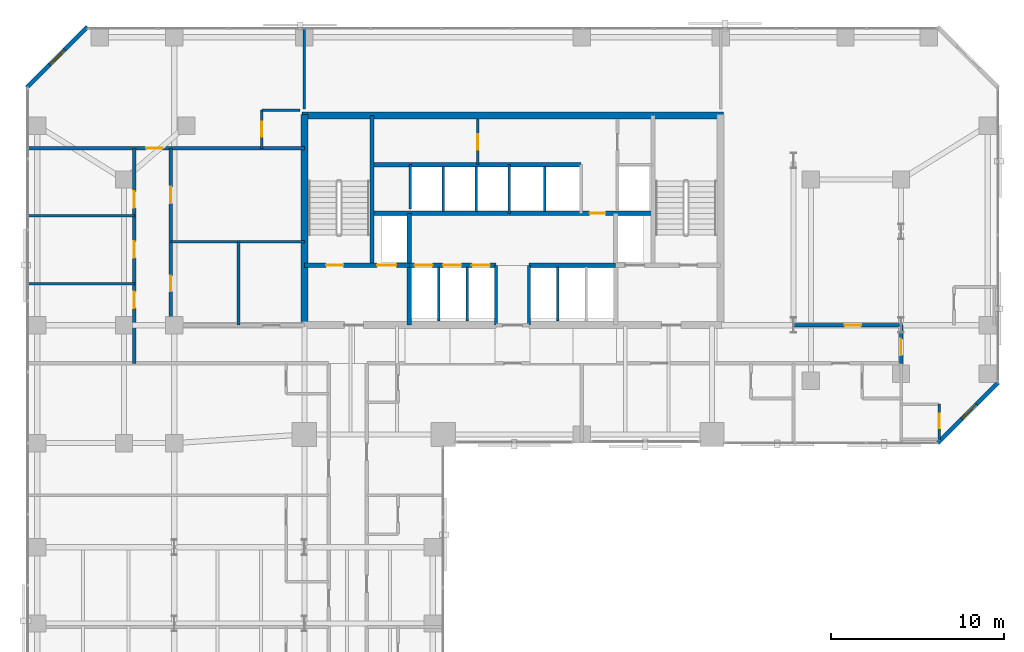
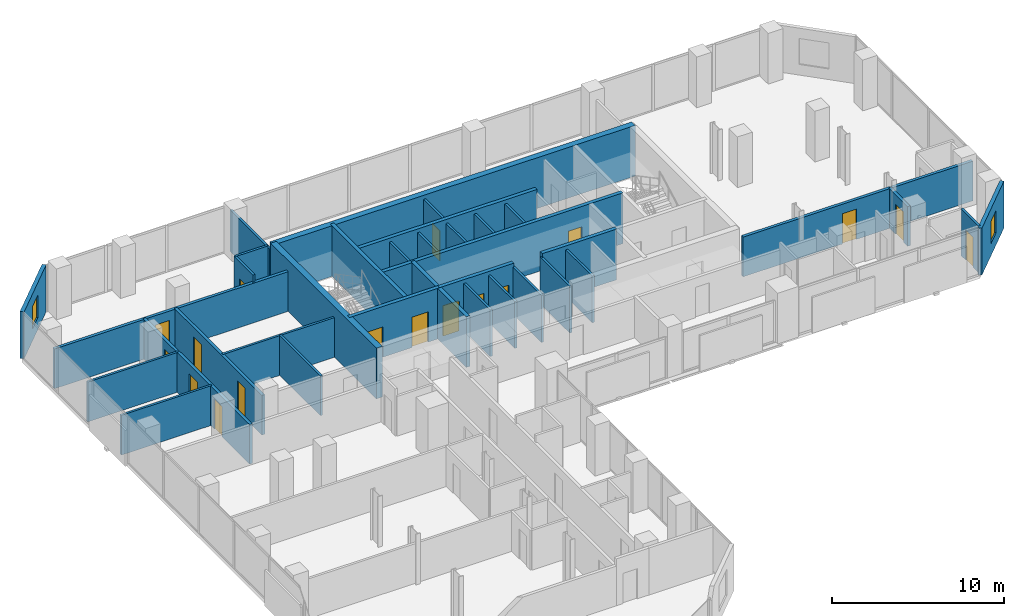
# One storey, part 28 of 31: 35 walls, 17 doors, 2 windows, 19 openings.
"""IFC4 building model written with IfcOpenShell, lengths in metres."""

import ifcopenshell
import ifcopenshell.guid

model = None  # the IFC model being written
_history = None  # IfcOwnerHistory: only IFC2X3 demands one
_inside = {}  # id of a spatial element -> (the spatial element, [elements in it])
_under = {}  # id of a project, library or spatial element -> (it, [spatial elements below it])
_declared = {}  # id of a project -> (the project, [libraries it declares])
_typed = {}  # id of a type object -> (the type object, [elements of that type])
_made_of = {}  # id of a material, layer set ... -> (it, [elements and type objects made of it])


def new_model(schema):
    """Start an empty IFC model of exactly this schema.

    Asked for "IFC4X3", IfcOpenShell would pick the latest addendum, in which some entities
    have other attributes; the version numbers below select the first issue.
    IFC2X3 requires an IfcOwnerHistory on every rooted entity: one is made here for all.
    """
    global model, _history
    if schema == "IFC4X3":
        model = ifcopenshell.file(schema_version=(4, 3, 0, 0))
    else:
        model = ifcopenshell.file(schema=schema)
    _inside.clear()
    _under.clear()
    _declared.clear()
    _typed.clear()
    _made_of.clear()
    _history = None
    if model.schema == "IFC2X3":
        org = make("IfcOrganization", Name="unknown")
        user = make(
            "IfcPersonAndOrganization",
            ThePerson=make("IfcPerson", FamilyName="unknown"),
            TheOrganization=org,
        )
        app = make(
            "IfcApplication",
            ApplicationDeveloper=org,
            Version="unknown",
            ApplicationFullName="unknown",
            ApplicationIdentifier="unknown",
        )
        _history = make(
            "IfcOwnerHistory",
            OwningUser=user,
            OwningApplication=app,
            ChangeAction="ADDED",
            CreationDate=0,
        )
    return model


def make(cls, **values):
    """One entity of the class cls with the attributes given. An attribute that is None is left unset."""
    return model.create_entity(
        cls, **{name: value for name, value in values.items() if value is not None}
    )


def rooted(cls, **values):
    """An entity with a GlobalId (a new one), such as an element, a storey or a relation."""
    return make(cls, GlobalId=ifcopenshell.guid.new(), OwnerHistory=_history, **values)


def si_unit(unit_type, name, prefix=None):
    """IfcSIUnit, for example si_unit("LENGTHUNIT", "METRE", prefix="MILLI")."""
    return make("IfcSIUnit", UnitType=unit_type, Prefix=prefix, Name=name)


def assignment(units):
    """IfcUnitAssignment: the units of a project."""
    return None if units is None else make("IfcUnitAssignment", Units=units)


def point(xyz):
    """IfcCartesianPoint."""
    return None if xyz is None else make("IfcCartesianPoint", Coordinates=xyz)


def direction(xyz):
    """IfcDirection."""
    return None if xyz is None else make("IfcDirection", DirectionRatios=xyz)


def frame(location, z_axis=None, x_axis=None):
    """IfcAxis2Placement3D, a coordinate frame: its origin and axes. An axis left out is left unset."""
    return make(
        "IfcAxis2Placement3D",
        Location=point(location),
        Axis=direction(z_axis),
        RefDirection=direction(x_axis),
    )


def frame_2d(location, x_axis=None):
    """IfcAxis2Placement2D, a coordinate frame in the plane: its origin and x axis."""
    return make(
        "IfcAxis2Placement2D", Location=point(location), RefDirection=direction(x_axis)
    )


def origin():
    """The frame at (0, 0, 0) with its axes left unset."""
    return frame((0.0, 0.0, 0.0))


def place(relative_to, where):
    """IfcLocalPlacement: puts the frame where relative to a parent placement (None: the world)."""
    return make(
        "IfcLocalPlacement", PlacementRelTo=relative_to, RelativePlacement=where
    )


def context(
    kind, dimensions, precision=None, world=None, true_north=None, identifier=None
):
    """IfcGeometricRepresentationContext, for example the 3D "Model" context."""
    return make(
        "IfcGeometricRepresentationContext",
        ContextIdentifier=identifier,
        ContextType=kind,
        CoordinateSpaceDimension=dimensions,
        Precision=precision,
        WorldCoordinateSystem=world,
        TrueNorth=true_north,
    )


def subcontext(parent, identifier, kind, view, scale=None):
    """IfcGeometricRepresentationSubContext, for example "Body" below "Model"."""
    return make(
        "IfcGeometricRepresentationSubContext",
        ContextIdentifier=identifier,
        ContextType=kind,
        ParentContext=parent,
        TargetScale=scale,
        TargetView=view,
    )


def project(units=None, contexts=None):
    """IfcProject with its units and contexts."""
    return rooted(
        "IfcProject",
        Name="project",
        RepresentationContexts=contexts,
        UnitsInContext=assignment(units),
    )


def spatial(cls, under=None, at=None, **own):
    """A site, building, storey or space (cls), placed at a placement, below another one or the project."""
    s = rooted(cls, ObjectPlacement=at, **own)
    if under is not None:
        _under.setdefault(under.id(), (under, []))[1].append(s)
    return s


def profile(cls, at=None, kind="AREA", **sizes):
    """A parametric profile (cls). Its sizes go by their IFC names, for example OverallWidth=200.0."""
    return make(cls, ProfileType=kind, Position=at, **sizes)


def rectangle(**sizes):
    """IfcRectangleProfileDef."""
    return profile("IfcRectangleProfileDef", **sizes)


def extrude(swept, where, along, depth):
    """IfcExtrudedAreaSolid: the profile swept, set in the frame where, extruded along a direction by depth."""
    return make(
        "IfcExtrudedAreaSolid",
        SweptArea=swept,
        Position=where,
        ExtrudedDirection=direction(along),
        Depth=depth,
    )


def shape(context_of_items, identifier, shape_type, items):
    """IfcShapeRepresentation: the items that make up one representation, for example the "Body"."""
    return make(
        "IfcShapeRepresentation",
        ContextOfItems=context_of_items,
        RepresentationIdentifier=identifier,
        RepresentationType=shape_type,
        Items=items,
    )


def material(Name=None, Category=None):
    """IfcMaterial."""
    return make("IfcMaterial", Name=Name, Category=Category)


def layer(
    of_material, thickness, ventilated=None, Name=None, Category=None, Priority=None
):
    """IfcMaterialLayer: one layer of a wall or slab, of a material (None: an air gap)."""
    return make(
        "IfcMaterialLayer",
        Material=of_material,
        LayerThickness=thickness,
        IsVentilated=ventilated,
        Name=Name,
        Category=Category,
        Priority=Priority,
    )


def layer_set(layers, Name=None):
    """IfcMaterialLayerSet."""
    return make("IfcMaterialLayerSet", MaterialLayers=layers, LayerSetName=Name)


def made_of(thing, what):
    """Note that an element or type object is made of a material, layer set ...; save() writes the relation."""
    if what is not None:
        _made_of.setdefault(what.id(), (what, []))[1].append(thing)
    return thing


def type_object(cls, material=None, **own):
    """A type object (cls), such as IfcWallType, which elements share."""
    return made_of(rooted(cls, **own), material)


def element(
    cls,
    number,
    at=None,
    inside=None,
    cuts=None,
    type_object=None,
    material=None,
    context=None,
    identifier="Body",
    shape_type=None,
    held_by="IfcProductDefinitionShape",
    body=None,
    shapes=None,
    **own,
):
    """One element of the class cls, such as IfcWall. Its Tag is "e" and its number.

    at: its placement. inside: the storey or other place that contains it. cuts: it is an
    opening in that element (IfcRelVoidsElement). A single representation is given by context,
    identifier, shape_type and body (its items); several are given by shapes. held_by: the class
    of the entity that holds the representations. save() writes the other relations.
    """
    e = rooted(cls, Tag="e%d" % number, ObjectPlacement=at, **own)
    if body is not None:
        shapes = [shape(context, identifier, shape_type, body)]
    if shapes is not None:
        e.Representation = make(held_by, Representations=shapes)
    if inside is not None:
        _inside.setdefault(inside.id(), (inside, []))[1].append(e)
    if cuts is not None:
        rooted(
            "IfcRelVoidsElement", RelatingBuildingElement=cuts, RelatedOpeningElement=e
        )
    if type_object is not None:
        _typed.setdefault(type_object.id(), (type_object, []))[1].append(e)
    return made_of(e, material)


def fill(opening, filler):
    """IfcRelFillsElement: the door or window that sits in an opening."""
    return rooted(
        "IfcRelFillsElement",
        RelatingOpeningElement=opening,
        RelatedBuildingElement=filler,
    )


def aggregate(whole, parts):
    """IfcRelAggregates: a whole, such as a stair, and the parts it consists of."""
    return rooted("IfcRelAggregates", RelatingObject=whole, RelatedObjects=parts)


def save(model, path):
    """Write the relations noted so far, then the file.

    IfcRelAggregates (storeys below a building ...), IfcRelContainedInSpatialStructure (elements
    in a storey), IfcRelDefinesByType, IfcRelAssociatesMaterial and IfcRelDeclares: one each for
    every whole, place, type object, material and project.
    """
    for whole, parts in _under.values():
        aggregate(whole, parts)
    for where, things in _inside.values():
        rooted(
            "IfcRelContainedInSpatialStructure",
            RelatedElements=things,
            RelatingStructure=where,
        )
    for kind, things in _typed.values():
        rooted("IfcRelDefinesByType", RelatedObjects=things, RelatingType=kind)
    for what, things in _made_of.values():
        rooted("IfcRelAssociatesMaterial", RelatedObjects=things, RelatingMaterial=what)
    for by, libraries in _declared.values():
        rooted("IfcRelDeclares", RelatingContext=by, RelatedDefinitions=libraries)
    model.write(path)


model = new_model("IFC4")

# Units and contexts
model_context = context("Model", 3, precision=1e-05, world=origin(), true_north=direction((0.0, 1.0)))
body_context = subcontext(model_context, "Body", "Model", "MODEL_VIEW")
ifc_project = project(units=[si_unit("LENGTHUNIT", "METRE"), si_unit("AREAUNIT", "SQUARE_METRE"), si_unit("VOLUMEUNIT", "CUBIC_METRE"), si_unit("PLANEANGLEUNIT", "RADIAN"), si_unit("MASSUNIT", "GRAM", prefix="KILO")], contexts=[model_context])

# Site, building, storey
site_placement = place(None, origin())
site = spatial("IfcSite", under=ifc_project, at=site_placement, CompositionType="ELEMENT")
building_placement = place(site_placement, origin())
building = spatial("IfcBuilding", under=site, at=building_placement, Name="Catumbela Crestline Tower", CompositionType="ELEMENT")
storey_placement = place(building_placement, frame((0.0, 0.0, 36.6)))
storey = spatial("IfcBuildingStorey", under=building, at=storey_placement, Name="L08", CompositionType="ELEMENT", Elevation=36.6)

# Walls
ifc_material_1 = material(Name="Concrete C50/60", Category="concrete")
ifc_layer_1 = layer(ifc_material_1, 0.25, Name="Concrete C50/60")
ifc_layer_set_1 = layer_set([ifc_layer_1], Name="Concrete C50/60")
wall_type_1 = type_object("IfcWallType", Name="CW-250D", PredefinedType="SHEAR", material=ifc_layer_set_1)
wall_1_placement = place(storey_placement, frame((19.9, 34.25, 0.0), z_axis=(0.0, 0.0, 1.0), x_axis=(0.0, 1.0, 0.0)))
element("IfcWall", 1, at=wall_1_placement, inside=storey, type_object=wall_type_1, Name="L08 Structural Core Shear Wall WWEB", PredefinedType="SHEAR", context=body_context, shape_type="SweptSolid", body=[
    extrude(rectangle(XDim=8.65, YDim=0.25, at=frame_2d((4.325, 0.0))), origin(), (0.0, 0.0, 1.0), 3.6),
])
wall_2_placement = place(storey_placement, frame((22.05, 30.8, 0.0), z_axis=(0.0, 0.0, 1.0), x_axis=(0.0, 1.0, 0.0)))
element("IfcWall", 2, at=wall_2_placement, inside=storey, type_object=wall_type_1, Name="L08 Structural Core Shear Wall FFW", PredefinedType="SHEAR", context=body_context, shape_type="SweptSolid", body=[
    extrude(rectangle(XDim=6.45, YDim=0.25, at=frame_2d((3.225, 0.0))), origin(), (0.0, 0.0, 1.0), 3.6),
])

# Wall, openings, doors
wall_3_placement = place(storey_placement, frame((16.0, 34.25, 0.0), z_axis=(0.0, 0.0, 1.0), x_axis=(1.0, 0.0, 0.0)))
wall_3 = element("IfcWall", 3, at=wall_3_placement, inside=storey, type_object=wall_type_1, Name="L08 Structural Core Shear Wall ST1S", PredefinedType="SHEAR", context=body_context, shape_type="SweptSolid", body=[
    extrude(rectangle(XDim=6.05, YDim=0.25, at=frame_2d((3.025, 0.0))), origin(), (0.0, 0.0, 1.0), 3.6),
])
opening_1_placement = place(wall_3_placement, frame((1.25, 0.0, 0.0)))
opening_1 = element("IfcOpeningElement", 4, at=opening_1_placement, cuts=wall_3, Name="Opening DF9-100", PredefinedType="OPENING", context=body_context, shape_type="SweptSolid", body=[
    extrude(rectangle(XDim=1.0, YDim=2.15, at=frame_2d((0.5, 1.075))), frame((0.0, 0.135, 0.0), z_axis=(0.0, -1.0, 0.0), x_axis=(1.0, 0.0, 0.0)), (0.0, 0.0, 1.0), 0.27),
])
opening_2_placement = place(wall_3_placement, frame((4.2, 0.0, 0.0)))
opening_2 = element("IfcOpeningElement", 5, at=opening_2_placement, cuts=wall_3, Name="Opening LD-110", PredefinedType="OPENING", context=body_context, shape_type="SweptSolid", body=[
    extrude(rectangle(XDim=1.1, YDim=2.15, at=frame_2d((0.55, 1.075))), frame((0.0, 0.135, 0.0), z_axis=(0.0, -1.0, 0.0), x_axis=(1.0, 0.0, 0.0)), (0.0, 0.0, 1.0), 0.27),
])
ifc_material_2 = material(Name="Stainless steel EN 1.4401", Category="steel")
door_type_1 = type_object("IfcDoorType", Name="DF9-100", OperationType="NOTDEFINED", PredefinedType="DOOR", material=ifc_material_2)
door_1_placement = place(opening_1_placement, origin())
door_1 = element("IfcDoor", 6, at=door_1_placement, inside=storey, type_object=door_type_1, Name="L08 Interior Door DR-L08-ST01", OperationType="SINGLE_SWING_LEFT", OverallHeight=2.15, OverallWidth=1.0, PredefinedType="DOOR", context=body_context, shape_type="SweptSolid", body=[
    extrude(rectangle(XDim=1.0, YDim=2.15, at=frame_2d((0.5, 1.075))), frame((0.0, 0.025, 0.0), z_axis=(0.0, -1.0, 0.0), x_axis=(1.0, 0.0, 0.0)), (0.0, 0.0, 1.0), 0.05),
])
fill(opening_1, door_1)
door_type_2 = type_object("IfcDoorType", Name="LD-110", OperationType="NOTDEFINED", PredefinedType="DOOR", material=ifc_material_2)
door_2_placement = place(opening_2_placement, origin())
door_2 = element("IfcDoor", 7, at=door_2_placement, inside=storey, type_object=door_type_2, Name="L08 Lift Landing Sliding Door FL-01", OperationType="DOUBLE_DOOR_SLIDING", OverallHeight=2.15, OverallWidth=1.1, PredefinedType="DOOR", context=body_context, shape_type="SweptSolid", body=[
    extrude(rectangle(XDim=1.1, YDim=2.15, at=frame_2d((0.55, 1.075))), frame((0.0, 0.025, 0.0), z_axis=(0.0, -1.0, 0.0), x_axis=(1.0, 0.0, 0.0)), (0.0, 0.0, 1.0), 0.05),
])
fill(opening_2, door_2)

wall_4_placement = place(storey_placement, frame((22.05, 34.25, 0.0), z_axis=(0.0, 0.0, 1.0), x_axis=(1.0, 0.0, 0.0)))
wall_4 = element("IfcWall", 8, at=wall_4_placement, inside=storey, type_object=wall_type_1, Name="L08 Structural Core Shear Wall LIFTS-W", PredefinedType="SHEAR", context=body_context, shape_type="SweptSolid", body=[
    extrude(rectangle(XDim=5.0, YDim=0.25, at=frame_2d((2.5, 0.0))), origin(), (0.0, 0.0, 1.0), 3.6),
])
opening_3_placement = place(wall_4_placement, frame((0.3, 0.0, 0.0)))
opening_3 = element("IfcOpeningElement", 9, at=opening_3_placement, cuts=wall_4, Name="Opening LD-105", PredefinedType="OPENING", context=body_context, shape_type="SweptSolid", body=[
    extrude(rectangle(XDim=1.05, YDim=2.15, at=frame_2d((0.525, 1.075))), frame((0.0, 0.135, 0.0), z_axis=(0.0, -1.0, 0.0), x_axis=(1.0, 0.0, 0.0)), (0.0, 0.0, 1.0), 0.27),
])
opening_4_placement = place(wall_4_placement, frame((1.95, 0.0, 0.0)))
opening_4 = element("IfcOpeningElement", 10, at=opening_4_placement, cuts=wall_4, Name="Opening LD-105", PredefinedType="OPENING", context=body_context, shape_type="SweptSolid", body=[
    extrude(rectangle(XDim=1.05, YDim=2.15, at=frame_2d((0.525, 1.075))), frame((0.0, 0.135, 0.0), z_axis=(0.0, -1.0, 0.0), x_axis=(1.0, 0.0, 0.0)), (0.0, 0.0, 1.0), 0.27),
])
opening_5_placement = place(wall_4_placement, frame((3.6, 0.0, 0.0)))
opening_5 = element("IfcOpeningElement", 11, at=opening_5_placement, cuts=wall_4, Name="Opening LD-105", PredefinedType="OPENING", context=body_context, shape_type="SweptSolid", body=[
    extrude(rectangle(XDim=1.05, YDim=2.15, at=frame_2d((0.525, 1.075))), frame((0.0, 0.135, 0.0), z_axis=(0.0, -1.0, 0.0), x_axis=(1.0, 0.0, 0.0)), (0.0, 0.0, 1.0), 0.27),
])
door_type_3 = type_object("IfcDoorType", Name="LD-105", OperationType="NOTDEFINED", PredefinedType="DOOR", material=ifc_material_2)
door_3_placement = place(opening_3_placement, origin())
door_3 = element("IfcDoor", 12, at=door_3_placement, inside=storey, type_object=door_type_3, Name="L08 Lift Landing Sliding Door PL-L1", OperationType="DOUBLE_DOOR_SLIDING", OverallHeight=2.15, OverallWidth=1.05, PredefinedType="DOOR", context=body_context, shape_type="SweptSolid", body=[
    extrude(rectangle(XDim=1.05, YDim=2.15, at=frame_2d((0.525, 1.075))), frame((0.0, 0.025, 0.0), z_axis=(0.0, -1.0, 0.0), x_axis=(1.0, 0.0, 0.0)), (0.0, 0.0, 1.0), 0.05),
])
fill(opening_3, door_3)
door_4_placement = place(opening_4_placement, origin())
door_4 = element("IfcDoor", 13, at=door_4_placement, inside=storey, type_object=door_type_3, Name="L08 Lift Landing Sliding Door PL-L2", OperationType="DOUBLE_DOOR_SLIDING", OverallHeight=2.15, OverallWidth=1.05, PredefinedType="DOOR", context=body_context, shape_type="SweptSolid", body=[
    extrude(rectangle(XDim=1.05, YDim=2.15, at=frame_2d((0.525, 1.075))), frame((0.0, 0.025, 0.0), z_axis=(0.0, -1.0, 0.0), x_axis=(1.0, 0.0, 0.0)), (0.0, 0.0, 1.0), 0.05),
])
fill(opening_4, door_4)
door_5_placement = place(opening_5_placement, origin())
door_5 = element("IfcDoor", 14, at=door_5_placement, inside=storey, type_object=door_type_3, Name="L08 Lift Landing Sliding Door PL-L3", OperationType="DOUBLE_DOOR_SLIDING", OverallHeight=2.15, OverallWidth=1.05, PredefinedType="DOOR", context=body_context, shape_type="SweptSolid", body=[
    extrude(rectangle(XDim=1.05, YDim=2.15, at=frame_2d((0.525, 1.075))), frame((0.0, 0.025, 0.0), z_axis=(0.0, -1.0, 0.0), x_axis=(1.0, 0.0, 0.0)), (0.0, 0.0, 1.0), 0.05),
])
fill(opening_5, door_5)

# Wall
wall_5_placement = place(storey_placement, frame((28.95, 34.25, 0.0), z_axis=(0.0, 0.0, 1.0), x_axis=(1.0, 0.0, 0.0)))
element("IfcWall", 15, at=wall_5_placement, inside=storey, type_object=wall_type_1, Name="L08 Structural Core Shear Wall LIFTS-E", PredefinedType="SHEAR", context=body_context, shape_type="SweptSolid", body=[
    extrude(rectangle(XDim=5.0, YDim=0.25, at=frame_2d((2.5, 0.0))), origin(), (0.0, 0.0, 1.0), 3.6),
])

# Wall, opening, door
wall_6_placement = place(storey_placement, frame((19.9, 37.25, 0.0), z_axis=(0.0, 0.0, 1.0), x_axis=(1.0, 0.0, 0.0)))
wall_6 = element("IfcWall", 16, at=wall_6_placement, inside=storey, type_object=wall_type_1, Name="L08 Structural Core Shear Wall LIFTN", PredefinedType="SHEAR", context=body_context, shape_type="SweptSolid", body=[
    extrude(rectangle(XDim=16.2, YDim=0.25, at=frame_2d((8.1, 0.0))), origin(), (0.0, 0.0, 1.0), 3.6),
])
opening_6_placement = place(wall_6_placement, frame((12.55, 0.0, 0.0)))
opening_6 = element("IfcOpeningElement", 17, at=opening_6_placement, cuts=wall_6, Name="Opening DF9-090", PredefinedType="OPENING", context=body_context, shape_type="SweptSolid", body=[
    extrude(rectangle(XDim=0.9, YDim=2.15, at=frame_2d((0.45, 1.075))), frame((0.0, 0.135, 0.0), z_axis=(0.0, -1.0, 0.0), x_axis=(1.0, 0.0, 0.0)), (0.0, 0.0, 1.0), 0.27),
])
door_type_4 = type_object("IfcDoorType", Name="DF9-090", OperationType="NOTDEFINED", PredefinedType="DOOR", material=ifc_material_2)
door_6_placement = place(opening_6_placement, origin())
door_6 = element("IfcDoor", 18, at=door_6_placement, inside=storey, type_object=door_type_4, Name="L08 Interior Door DR-L08-CPAS1", OperationType="SINGLE_SWING_LEFT", OverallHeight=2.15, OverallWidth=0.9, PredefinedType="DOOR", context=body_context, shape_type="SweptSolid", body=[
    extrude(rectangle(XDim=0.9, YDim=2.15, at=frame_2d((0.45, 1.075))), frame((0.0, 0.025, 0.0), z_axis=(0.0, -1.0, 0.0), x_axis=(1.0, 0.0, 0.0)), (0.0, 0.0, 1.0), 0.05),
])
fill(opening_6, door_6)

# Walls
wall_7_placement = place(storey_placement, frame((19.9, 40.05, 0.0), z_axis=(0.0, 0.0, 1.0), x_axis=(1.0, 0.0, 0.0)))
element("IfcWall", 19, at=wall_7_placement, inside=storey, type_object=wall_type_1, Name="L08 Structural Core Shear Wall COREN", PredefinedType="SHEAR", context=body_context, shape_type="SweptSolid", body=[
    extrude(rectangle(XDim=12.05, YDim=0.25, at=frame_2d((6.025, 0.0))), origin(), (0.0, 0.0, 1.0), 3.6),
])
ifc_material_3 = material(Name="Concrete C60/75", Category="concrete")
ifc_layer_2 = layer(ifc_material_3, 0.4, Name="Concrete C60/75")
ifc_layer_set_2 = layer_set([ifc_layer_2], Name="Concrete C60/75")
wall_type_2 = type_object("IfcWallType", Name="CW-400A", PredefinedType="SHEAR", material=ifc_layer_set_2)
wall_8_placement = place(storey_placement, frame((16.0, 30.65, 0.0), z_axis=(0.0, 0.0, 1.0), x_axis=(0.0, 1.0, 0.0)))
element("IfcWall", 20, at=wall_8_placement, inside=storey, type_object=wall_type_2, Name="L08 Structural Core Shear Wall W", PredefinedType="SHEAR", context=body_context, shape_type="SweptSolid", body=[
    extrude(rectangle(XDim=12.3, YDim=0.4, at=frame_2d((6.15, 0.0))), origin(), (0.0, 0.0, 1.0), 3.6),
])
wall_9_placement = place(storey_placement, frame((15.85, 42.9, 0.0), z_axis=(0.0, 0.0, 1.0), x_axis=(1.0, 0.0, 0.0)))
element("IfcWall", 21, at=wall_9_placement, inside=storey, type_object=wall_type_2, Name="L08 Structural Core Shear Wall N", PredefinedType="SHEAR", context=body_context, shape_type="SweptSolid", body=[
    extrude(rectangle(XDim=24.3, YDim=0.4, at=frame_2d((12.15, 0.0))), origin(), (0.0, 0.0, 1.0), 3.6),
])

# Wall, openings, doors
ifc_material_4 = material(Name="Acoustic gypsum and mineral-wool partition")
ifc_layer_3 = layer(ifc_material_4, 0.2, Name="Acoustic gypsum and mineral-wool partition")
ifc_layer_set_3 = layer_set([ifc_layer_3], Name="Acoustic gypsum and mineral-wool partition")
wall_type_3 = type_object("IfcWallType", Name="WC-200", PredefinedType="PARTITIONING", material=ifc_layer_set_3)
wall_10_placement = place(storey_placement, frame((8.3, 30.8, 0.0), z_axis=(0.0, 0.0, 1.0), x_axis=(0.0, 1.0, 0.0)))
wall_10 = element("IfcWall", 22, at=wall_10_placement, inside=storey, type_object=wall_type_3, Name="L08 Interior Partition PW-L08-AWC-W", PredefinedType="PARTITIONING", context=body_context, shape_type="SweptSolid", body=[
    extrude(rectangle(XDim=10.2, YDim=0.2, at=frame_2d((5.1, 0.0))), origin(), (0.0, 0.0, 1.0), 2.82),
])
opening_7_placement = place(wall_10_placement, frame((1.95, 0.0, 0.0)))
opening_7 = element("IfcOpeningElement", 23, at=opening_7_placement, cuts=wall_10, Name="Opening DI-090", PredefinedType="OPENING", context=body_context, shape_type="SweptSolid", body=[
    extrude(rectangle(XDim=0.9, YDim=2.15, at=frame_2d((0.45, 1.075))), frame((0.0, 0.11, 0.0), z_axis=(0.0, -1.0, 0.0), x_axis=(1.0, 0.0, 0.0)), (0.0, 0.0, 1.0), 0.22),
])
opening_8_placement = place(wall_10_placement, frame((7.025, 0.0, 0.0)))
opening_8 = element("IfcOpeningElement", 24, at=opening_8_placement, cuts=wall_10, Name="Opening DF6-095", PredefinedType="OPENING", context=body_context, shape_type="SweptSolid", body=[
    extrude(rectangle(XDim=0.95, YDim=2.15, at=frame_2d((0.475, 1.075))), frame((0.0, 0.11, 0.0), z_axis=(0.0, -1.0, 0.0), x_axis=(1.0, 0.0, 0.0)), (0.0, 0.0, 1.0), 0.22),
])
ifc_material_5 = material(Name="Aluminium alloy AW-6060-T66", Category="aluminium")
door_type_5 = type_object("IfcDoorType", Name="DF6-095", OperationType="NOTDEFINED", PredefinedType="DOOR", material=ifc_material_5)
door_7_placement = place(opening_8_placement, origin())
door_7 = element("IfcDoor", 25, at=door_7_placement, inside=storey, type_object=door_type_5, Name="L08 Interior Door DR-L08-MT1-ENT", OperationType="SINGLE_SWING_LEFT", OverallHeight=2.15, OverallWidth=0.95, PredefinedType="DOOR", context=body_context, shape_type="SweptSolid", body=[
    extrude(rectangle(XDim=0.95, YDim=2.15, at=frame_2d((0.475, 1.075))), frame((0.0, 0.025, 0.0), z_axis=(0.0, -1.0, 0.0), x_axis=(1.0, 0.0, 0.0)), (0.0, 0.0, 1.0), 0.05),
])
fill(opening_8, door_7)
door_type_6 = type_object("IfcDoorType", Name="DI-090", OperationType="NOTDEFINED", PredefinedType="DOOR", material=ifc_material_5)
door_8_placement = place(opening_7_placement, origin())
door_8 = element("IfcDoor", 26, at=door_8_placement, inside=storey, type_object=door_type_6, Name="L08 Interior Door DR-L08-STWC", OperationType="SINGLE_SWING_RIGHT", OverallHeight=2.15, OverallWidth=0.9, PredefinedType="DOOR", context=body_context, shape_type="SweptSolid", body=[
    extrude(rectangle(XDim=0.9, YDim=2.15, at=frame_2d((0.45, 1.075))), frame((0.0, 0.025, 0.0), z_axis=(0.0, -1.0, 0.0), x_axis=(1.0, 0.0, 0.0)), (0.0, 0.0, 1.0), 0.05),
])
fill(opening_7, door_8)

# Wall, opening, door
wall_11_placement = place(storey_placement, frame((0.1, 41.0, 0.0), z_axis=(0.0, 0.0, 1.0), x_axis=(1.0, 0.0, 0.0)))
wall_11 = element("IfcWall", 27, at=wall_11_placement, inside=storey, type_object=wall_type_3, Name="L08 Interior Partition PW-L08-NWTOP-ENT", PredefinedType="PARTITIONING", context=body_context, shape_type="SweptSolid", body=[
    extrude(rectangle(XDim=15.9, YDim=0.2, at=frame_2d((7.95, 0.0))), origin(), (0.0, 0.0, 1.0), 2.82),
])
opening_9_placement = place(wall_11_placement, frame((6.7788, 0.0, 0.0)))
opening_9 = element("IfcOpeningElement", 28, at=opening_9_placement, cuts=wall_11, Name="Opening DF6-095", PredefinedType="OPENING", context=body_context, shape_type="SweptSolid", body=[
    extrude(rectangle(XDim=0.95, YDim=2.15, at=frame_2d((0.475, 1.075))), frame((0.0, 0.11, 0.0), z_axis=(0.0, -1.0, 0.0), x_axis=(1.0, 0.0, 0.0)), (0.0, 0.0, 1.0), 0.22),
])
door_9_placement = place(opening_9_placement, origin())
door_9 = element("IfcDoor", 29, at=door_9_placement, inside=storey, type_object=door_type_5, Name="L08 Interior Door DR-L08-NWTOP-ENT", OperationType="SINGLE_SWING_LEFT", OverallHeight=2.15, OverallWidth=0.95, PredefinedType="DOOR", context=body_context, shape_type="SweptSolid", body=[
    extrude(rectangle(XDim=0.95, YDim=2.15, at=frame_2d((0.475, 1.075))), frame((0.0, 0.025, 0.0), z_axis=(0.0, -1.0, 0.0), x_axis=(1.0, 0.0, 0.0)), (0.0, 0.0, 1.0), 0.05),
])
fill(opening_9, door_9)

# Wall, openings, doors
wall_12_placement = place(storey_placement, frame((6.2, 28.6, 0.0), z_axis=(0.0, 0.0, 1.0), x_axis=(0.0, 1.0, 0.0)))
wall_12 = element("IfcWall", 30, at=wall_12_placement, inside=storey, type_object=wall_type_3, Name="L08 Interior Partition PW-L08-OF1-ENT", PredefinedType="PARTITIONING", context=body_context, shape_type="SweptSolid", body=[
    extrude(rectangle(XDim=12.4, YDim=0.2, at=frame_2d((6.2, 0.0))), origin(), (0.0, 0.0, 1.0), 2.82),
])
opening_10_placement = place(wall_12_placement, frame((3.1818, 0.0, 0.0)))
opening_10 = element("IfcOpeningElement", 31, at=opening_10_placement, cuts=wall_12, Name="Opening DF6-095", PredefinedType="OPENING", context=body_context, shape_type="SweptSolid", body=[
    extrude(rectangle(XDim=0.95, YDim=2.15, at=frame_2d((0.475, 1.075))), frame((0.0, 0.11, 0.0), z_axis=(0.0, -1.0, 0.0), x_axis=(1.0, 0.0, 0.0)), (0.0, 0.0, 1.0), 0.22),
])
opening_11_placement = place(wall_12_placement, frame((6.075, 0.0, 0.0)))
opening_11 = element("IfcOpeningElement", 32, at=opening_11_placement, cuts=wall_12, Name="Opening DF6-095", PredefinedType="OPENING", context=body_context, shape_type="SweptSolid", body=[
    extrude(rectangle(XDim=0.95, YDim=2.15, at=frame_2d((0.475, 1.075))), frame((0.0, 0.11, 0.0), z_axis=(0.0, -1.0, 0.0), x_axis=(1.0, 0.0, 0.0)), (0.0, 0.0, 1.0), 0.22),
])
opening_12_placement = place(wall_12_placement, frame((8.966, 0.0, 0.0)))
opening_12 = element("IfcOpeningElement", 33, at=opening_12_placement, cuts=wall_12, Name="Opening DF6-095", PredefinedType="OPENING", context=body_context, shape_type="SweptSolid", body=[
    extrude(rectangle(XDim=0.95, YDim=2.15, at=frame_2d((0.475, 1.075))), frame((0.0, 0.11, 0.0), z_axis=(0.0, -1.0, 0.0), x_axis=(1.0, 0.0, 0.0)), (0.0, 0.0, 1.0), 0.22),
])
door_10_placement = place(opening_10_placement, origin())
door_10 = element("IfcDoor", 34, at=door_10_placement, inside=storey, type_object=door_type_5, Name="L08 Interior Door DR-L08-OF1-ENT", OperationType="SINGLE_SWING_RIGHT", OverallHeight=2.15, OverallWidth=0.95, PredefinedType="DOOR", context=body_context, shape_type="SweptSolid", body=[
    extrude(rectangle(XDim=0.95, YDim=2.15, at=frame_2d((0.475, 1.075))), frame((0.0, 0.025, 0.0), z_axis=(0.0, -1.0, 0.0), x_axis=(1.0, 0.0, 0.0)), (0.0, 0.0, 1.0), 0.05),
])
fill(opening_10, door_10)
door_11_placement = place(opening_11_placement, origin())
door_11 = element("IfcDoor", 35, at=door_11_placement, inside=storey, type_object=door_type_5, Name="L08 Interior Door DR-L08-OF2-ENT", OperationType="SINGLE_SWING_RIGHT", OverallHeight=2.15, OverallWidth=0.95, PredefinedType="DOOR", context=body_context, shape_type="SweptSolid", body=[
    extrude(rectangle(XDim=0.95, YDim=2.15, at=frame_2d((0.475, 1.075))), frame((0.0, 0.025, 0.0), z_axis=(0.0, -1.0, 0.0), x_axis=(1.0, 0.0, 0.0)), (0.0, 0.0, 1.0), 0.05),
])
fill(opening_11, door_11)
door_12_placement = place(opening_12_placement, origin())
door_12 = element("IfcDoor", 36, at=door_12_placement, inside=storey, type_object=door_type_5, Name="L08 Interior Door DR-L08-OF3-ENT", OperationType="SINGLE_SWING_LEFT", OverallHeight=2.15, OverallWidth=0.95, PredefinedType="DOOR", context=body_context, shape_type="SweptSolid", body=[
    extrude(rectangle(XDim=0.95, YDim=2.15, at=frame_2d((0.475, 1.075))), frame((0.0, 0.025, 0.0), z_axis=(0.0, -1.0, 0.0), x_axis=(1.0, 0.0, 0.0)), (0.0, 0.0, 1.0), 0.05),
])
fill(opening_12, door_12)

# Wall, opening, door
wall_13_placement = place(storey_placement, frame((40.47, 30.8, 0.0), z_axis=(0.0, 0.0, 1.0), x_axis=(1.0, 0.0, 0.0)))
wall_13 = element("IfcWall", 37, at=wall_13_placement, inside=storey, type_object=wall_type_3, Name="L08 Interior Partition PW-L08-NES-ENT", PredefinedType="PARTITIONING", context=body_context, shape_type="SweptSolid", body=[
    extrude(rectangle(XDim=15.43, YDim=0.2, at=frame_2d((7.715, 0.0))), origin(), (0.0, 0.0, 1.0), 2.82),
])
opening_13_placement = place(wall_13_placement, frame((6.6725, 0.0, 0.0)))
opening_13 = element("IfcOpeningElement", 38, at=opening_13_placement, cuts=wall_13, Name="Opening DF6-095", PredefinedType="OPENING", context=body_context, shape_type="SweptSolid", body=[
    extrude(rectangle(XDim=0.95, YDim=2.15, at=frame_2d((0.475, 1.075))), frame((0.0, 0.11, 0.0), z_axis=(0.0, -1.0, 0.0), x_axis=(1.0, 0.0, 0.0)), (0.0, 0.0, 1.0), 0.22),
])
door_13_placement = place(opening_13_placement, origin())
door_13 = element("IfcDoor", 39, at=door_13_placement, inside=storey, type_object=door_type_5, Name="L08 Interior Door DR-L08-NES-ENT", OperationType="SINGLE_SWING_LEFT", OverallHeight=2.15, OverallWidth=0.95, PredefinedType="DOOR", context=body_context, shape_type="SweptSolid", body=[
    extrude(rectangle(XDim=0.95, YDim=2.15, at=frame_2d((0.475, 1.075))), frame((0.0, 0.025, 0.0), z_axis=(0.0, -1.0, 0.0), x_axis=(1.0, 0.0, 0.0)), (0.0, 0.0, 1.0), 0.05),
])
fill(opening_13, door_13)

wall_14_placement = place(storey_placement, frame((50.4, 28.6, 0.0), z_axis=(0.0, 0.0, 1.0), x_axis=(0.0, 1.0, 0.0)))
wall_14 = element("IfcWall", 40, at=wall_14_placement, inside=storey, type_object=wall_type_3, Name="L08 Interior Partition PW-L08-NESE-ENT", PredefinedType="PARTITIONING", context=body_context, shape_type="SweptSolid", body=[
    extrude(rectangle(XDim=2.2, YDim=0.2, at=frame_2d((1.1, 0.0))), origin(), (0.0, 0.0, 1.0), 2.82),
])
opening_14_placement = place(wall_14_placement, frame((0.46, 0.0, 0.0)))
opening_14 = element("IfcOpeningElement", 41, at=opening_14_placement, cuts=wall_14, Name="Opening DF6-095", PredefinedType="OPENING", context=body_context, shape_type="SweptSolid", body=[
    extrude(rectangle(XDim=0.95, YDim=2.15, at=frame_2d((0.475, 1.075))), frame((0.0, 0.11, 0.0), z_axis=(0.0, -1.0, 0.0), x_axis=(1.0, 0.0, 0.0)), (0.0, 0.0, 1.0), 0.22),
])
door_14_placement = place(opening_14_placement, origin())
door_14 = element("IfcDoor", 42, at=door_14_placement, inside=storey, type_object=door_type_5, Name="L08 Interior Door DR-L08-NESE-ENT", OperationType="SINGLE_SWING_RIGHT", OverallHeight=2.15, OverallWidth=0.95, PredefinedType="DOOR", context=body_context, shape_type="SweptSolid", body=[
    extrude(rectangle(XDim=0.95, YDim=2.15, at=frame_2d((0.475, 1.075))), frame((0.0, 0.025, 0.0), z_axis=(0.0, -1.0, 0.0), x_axis=(1.0, 0.0, 0.0)), (0.0, 0.0, 1.0), 0.05),
])
fill(opening_14, door_14)

# Wall, opening, window
ifc_material_6 = material(Name="Angolan grey-ochre granite", Category="masonry")
ifc_layer_4 = layer(ifc_material_6, 0.25, Name="Angolan grey-ochre granite")
ifc_layer_set_4 = layer_set([ifc_layer_4], Name="Angolan grey-ochre granite")
wall_type_4 = type_object("IfcWallType", Name="WE-250", PredefinedType="STANDARD", material=ifc_layer_set_4)
wall_15_placement = place(storey_placement, frame((52.5, 24.0, 0.0), z_axis=(0.0, 0.0, 1.0), x_axis=(0.707106781187, 0.707106781187, 0.0)))
wall_15 = element("IfcWall", 43, at=wall_15_placement, inside=storey, type_object=wall_type_4, Name="L08 Granite Punched Window Wall 4-1", PredefinedType="STANDARD", context=body_context, shape_type="SweptSolid", body=[
    extrude(rectangle(XDim=4.9497, YDim=0.25, at=frame_2d((2.4748, 0.0))), origin(), (0.0, 0.0, 1.0), 3.33),
])
opening_15_placement = place(wall_15_placement, frame((1.9851, 0.0, 0.85)))
opening_15 = element("IfcOpeningElement", 44, at=opening_15_placement, cuts=wall_15, Name="Opening WN-02", PredefinedType="OPENING", context=body_context, shape_type="SweptSolid", body=[
    extrude(rectangle(XDim=1.2, YDim=1.6, at=frame_2d((0.6, 0.8))), frame((0.0, 0.135, 0.0), z_axis=(0.0, -1.0, 0.0), x_axis=(1.0, 0.0, 0.0)), (0.0, 0.0, 1.0), 0.27),
])
ifc_material_7 = material(Name="Low-E laminated solar-control double glazing", Category="glass")
window_type = type_object("IfcWindowType", Name="WO-1200", PartitioningType="SINGLE_PANEL", PredefinedType="WINDOW", material=ifc_material_7)
window_1_placement = place(opening_15_placement, origin())
window_1 = element("IfcWindow", 45, at=window_1_placement, inside=storey, type_object=window_type, Name="L08 Facade Vision Window 64", OverallHeight=1.6, OverallWidth=1.2, PartitioningType="SINGLE_PANEL", PredefinedType="WINDOW", context=body_context, shape_type="SweptSolid", body=[
    extrude(rectangle(XDim=1.2, YDim=1.6, at=frame_2d((0.6, 0.8))), frame((0.0, 0.03, 0.0), z_axis=(0.0, -1.0, 0.0), x_axis=(1.0, 0.0, 0.0)), (0.0, 0.0, 1.0), 0.06),
])
fill(opening_15, window_1)

wall_16_placement = place(storey_placement, frame((3.5, 48.0, 0.0), z_axis=(0.0, 0.0, 1.0), x_axis=(-0.707106781187, -0.707106781187, 0.0)))
wall_16 = element("IfcWall", 46, at=wall_16_placement, inside=storey, type_object=wall_type_4, Name="L08 Granite Punched Window Wall 8-1", PredefinedType="STANDARD", context=body_context, shape_type="SweptSolid", body=[
    extrude(rectangle(XDim=4.9497, YDim=0.25, at=frame_2d((2.4748, 0.0))), origin(), (0.0, 0.0, 1.0), 3.33),
])
opening_16_placement = place(wall_16_placement, frame((1.8748, 0.0, 0.85)))
opening_16 = element("IfcOpeningElement", 47, at=opening_16_placement, cuts=wall_16, Name="Opening WN-02", PredefinedType="OPENING", context=body_context, shape_type="SweptSolid", body=[
    extrude(rectangle(XDim=1.2, YDim=1.6, at=frame_2d((0.6, 0.8))), frame((0.0, 0.135, 0.0), z_axis=(0.0, -1.0, 0.0), x_axis=(1.0, 0.0, 0.0)), (0.0, 0.0, 1.0), 0.27),
])
window_2_placement = place(opening_16_placement, origin())
window_2 = element("IfcWindow", 48, at=window_2_placement, inside=storey, type_object=window_type, Name="L08 Facade Vision Window 66", OverallHeight=1.6, OverallWidth=1.2, PartitioningType="SINGLE_PANEL", PredefinedType="WINDOW", context=body_context, shape_type="SweptSolid", body=[
    extrude(rectangle(XDim=1.2, YDim=1.6, at=frame_2d((0.6, 0.8))), frame((0.0, 0.03, 0.0), z_axis=(0.0, -1.0, 0.0), x_axis=(1.0, 0.0, 0.0)), (0.0, 0.0, 1.0), 0.06),
])
fill(opening_16, window_2)

# Wall, opening, door
ifc_layer_5 = layer(ifc_material_4, 0.15, Name="Acoustic gypsum and mineral-wool partition")
ifc_layer_set_5 = layer_set([ifc_layer_5], Name="Acoustic gypsum and mineral-wool partition")
wall_type_5 = type_object("IfcWallType", Name="WP-150", PredefinedType="PARTITIONING", material=ifc_layer_set_5)
wall_17_placement = place(storey_placement, frame((26.0, 40.05, 0.0), z_axis=(0.0, 0.0, 1.0), x_axis=(0.0, 1.0, 0.0)))
wall_17 = element("IfcWall", 49, at=wall_17_placement, inside=storey, type_object=wall_type_5, Name="L08 Interior Partition PW-L08-CR-WW", PredefinedType="PARTITIONING", context=body_context, shape_type="SweptSolid", body=[
    extrude(rectangle(XDim=2.63, YDim=0.15, at=frame_2d((1.315, 0.0))), origin(), (0.0, 0.0, 1.0), 3.33),
])
opening_17_placement = place(wall_17_placement, frame((0.865, 0.0, 0.0)))
opening_17 = element("IfcOpeningElement", 50, at=opening_17_placement, cuts=wall_17, Name="Opening DF9-090", PredefinedType="OPENING", context=body_context, shape_type="SweptSolid", body=[
    extrude(rectangle(XDim=0.9, YDim=2.15, at=frame_2d((0.45, 1.075))), frame((0.0, 0.085, 0.0), z_axis=(0.0, -1.0, 0.0), x_axis=(1.0, 0.0, 0.0)), (0.0, 0.0, 1.0), 0.17),
])
door_15_placement = place(opening_17_placement, origin())
door_15 = element("IfcDoor", 51, at=door_15_placement, inside=storey, type_object=door_type_4, Name="L08 Interior Door DR-L08-CRWEST", OperationType="SINGLE_SWING_LEFT", OverallHeight=2.15, OverallWidth=0.9, PredefinedType="DOOR", context=body_context, shape_type="SweptSolid", body=[
    extrude(rectangle(XDim=0.9, YDim=2.15, at=frame_2d((0.45, 1.075))), frame((0.0, 0.025, 0.0), z_axis=(0.0, -1.0, 0.0), x_axis=(1.0, 0.0, 0.0)), (0.0, 0.0, 1.0), 0.05),
])
fill(opening_17, door_15)

# Walls
wall_18_placement = place(storey_placement, frame((8.3, 35.6, 0.0), z_axis=(0.0, 0.0, 1.0), x_axis=(1.0, 0.0, 0.0)))
element("IfcWall", 52, at=wall_18_placement, inside=storey, type_object=wall_type_5, Name="L08 Interior Partition PW-L08-HK-N", PredefinedType="PARTITIONING", context=body_context, shape_type="SweptSolid", body=[
    extrude(rectangle(XDim=7.7, YDim=0.15, at=frame_2d((3.85, 0.0))), origin(), (0.0, 0.0, 1.0), 2.82),
])
wall_19_placement = place(storey_placement, frame((12.2, 30.8, 0.0), z_axis=(0.0, 0.0, 1.0), x_axis=(0.0, 1.0, 0.0)))
element("IfcWall", 53, at=wall_19_placement, inside=storey, type_object=wall_type_5, Name="L08 Interior Partition PW-L08-HK-M", PredefinedType="PARTITIONING", context=body_context, shape_type="SweptSolid", body=[
    extrude(rectangle(XDim=4.8, YDim=0.15, at=frame_2d((2.4, 0.0))), origin(), (0.0, 0.0, 1.0), 2.82),
])
wall_20_placement = place(storey_placement, frame((13.55, 43.2, 0.0), z_axis=(0.0, 0.0, 1.0), x_axis=(1.0, 0.0, 0.0)))
element("IfcWall", 54, at=wall_20_placement, inside=storey, type_object=wall_type_5, Name="L08 Interior Partition PW-L08-NWTOP-BHW", PredefinedType="PARTITIONING", context=body_context, shape_type="SweptSolid", body=[
    extrude(rectangle(XDim=2.1897, YDim=0.15, at=frame_2d((1.0949, 0.0))), origin(), (0.0, 0.0, 1.0), 3.33),
])

# Wall, opening, door
wall_21_placement = place(storey_placement, frame((13.55, 41.0, 0.0), z_axis=(0.0, 0.0, 1.0), x_axis=(0.0, 1.0, 0.0)))
wall_21 = element("IfcWall", 55, at=wall_21_placement, inside=storey, type_object=wall_type_5, Name="L08 Interior Partition PW-L08-NWTOP-BWW", PredefinedType="PARTITIONING", context=body_context, shape_type="SweptSolid", body=[
    extrude(rectangle(XDim=2.2, YDim=0.15, at=frame_2d((1.1, 0.0))), origin(), (0.0, 0.0, 1.0), 3.33),
])
opening_18_placement = place(wall_21_placement, frame((0.675, 0.0, 0.0)))
opening_18 = element("IfcOpeningElement", 56, at=opening_18_placement, cuts=wall_21, Name="Opening DI-085", PredefinedType="OPENING", context=body_context, shape_type="SweptSolid", body=[
    extrude(rectangle(XDim=0.85, YDim=2.15, at=frame_2d((0.425, 1.075))), frame((0.0, 0.085, 0.0), z_axis=(0.0, -1.0, 0.0), x_axis=(1.0, 0.0, 0.0)), (0.0, 0.0, 1.0), 0.17),
])
door_type_7 = type_object("IfcDoorType", Name="DI-085", OperationType="NOTDEFINED", PredefinedType="DOOR", material=ifc_material_5)
door_16_placement = place(opening_18_placement, origin())
door_16 = element("IfcDoor", 57, at=door_16_placement, inside=storey, type_object=door_type_7, Name="L08 Interior Door DR-L08-NWTOP-BTH", OperationType="SINGLE_SWING_RIGHT", OverallHeight=2.15, OverallWidth=0.85, PredefinedType="DOOR", context=body_context, shape_type="SweptSolid", body=[
    extrude(rectangle(XDim=0.85, YDim=2.15, at=frame_2d((0.425, 1.075))), frame((0.0, 0.025, 0.0), z_axis=(0.0, -1.0, 0.0), x_axis=(1.0, 0.0, 0.0)), (0.0, 0.0, 1.0), 0.05),
])
fill(opening_18, door_16)

# Walls
for number, where, z_axis, x_axis, name in (
    (58, (0.1, 33.2, 0.0), (0.0, 0.0, 1.0), (1.0, 0.0, 0.0), "L08 Interior Partition PW-L08-G1-1"),
    (59, (0.1, 37.1, 0.0), (0.0, 0.0, 1.0), (1.0, 0.0, 0.0), "L08 Interior Partition PW-L08-G1-2"),
):
    element("IfcWall", number, at=place(storey_placement, frame(where, z_axis=z_axis, x_axis=x_axis)), inside=storey, type_object=wall_type_5, Name=name, PredefinedType="PARTITIONING", context=body_context, shape_type="SweptSolid", body=[
        extrude(rectangle(XDim=6.1, YDim=0.15, at=frame_2d((3.05, 0.0))), origin(), (0.0, 0.0, 1.0), 2.82),
    ])
wall_22_placement = place(storey_placement, frame((16.0, 43.27, 0.0), z_axis=(0.0, 0.0, 1.0), x_axis=(0.0, 1.0, 0.0)))
element("IfcWall", 60, at=wall_22_placement, inside=storey, type_object=wall_type_5, Name="L08 Interior Partition PW-L08-NCF-W", PredefinedType="PARTITIONING", context=body_context, shape_type="SweptSolid", body=[
    extrude(rectangle(XDim=4.63, YDim=0.15, at=frame_2d((2.315, 0.0))), origin(), (0.0, 0.0, 1.0), 2.93),
])

# Wall, opening, door
wall_23_placement = place(storey_placement, frame((52.6, 24.2, 0.0), z_axis=(0.0, 0.0, 1.0), x_axis=(0.0, 1.0, 0.0)))
wall_23 = element("IfcWall", 61, at=wall_23_placement, inside=storey, type_object=wall_type_5, Name="L08 Interior Partition PW-L08-NESE-BEW", PredefinedType="PARTITIONING", context=body_context, shape_type="SweptSolid", body=[
    extrude(rectangle(XDim=2.05, YDim=0.15, at=frame_2d((1.025, 0.0))), origin(), (0.0, 0.0, 1.0), 3.33),
])
opening_19_placement = place(wall_23_placement, frame((0.6514, 0.0, 0.0)))
opening_19 = element("IfcOpeningElement", 62, at=opening_19_placement, cuts=wall_23, Name="Opening DI-085", PredefinedType="OPENING", context=body_context, shape_type="SweptSolid", body=[
    extrude(rectangle(XDim=0.85, YDim=2.15, at=frame_2d((0.425, 1.075))), frame((0.0, 0.085, 0.0), z_axis=(0.0, -1.0, 0.0), x_axis=(1.0, 0.0, 0.0)), (0.0, 0.0, 1.0), 0.17),
])
door_17_placement = place(opening_19_placement, origin())
door_17 = element("IfcDoor", 63, at=door_17_placement, inside=storey, type_object=door_type_7, Name="L08 Interior Door DR-L08-NESE-BTH", OperationType="SINGLE_SWING_LEFT", OverallHeight=2.15, OverallWidth=0.85, PredefinedType="DOOR", context=body_context, shape_type="SweptSolid", body=[
    extrude(rectangle(XDim=0.85, YDim=2.15, at=frame_2d((0.425, 1.075))), frame((0.0, 0.025, 0.0), z_axis=(0.0, -1.0, 0.0), x_axis=(1.0, 0.0, 0.0)), (0.0, 0.0, 1.0), 0.05),
])
fill(opening_19, door_17)

# Walls
ifc_layer_6 = layer(ifc_material_4, 0.15, Name="Acoustic gypsum and mineral-wool partition")
ifc_layer_set_6 = layer_set([ifc_layer_6], Name="Acoustic gypsum and mineral-wool partition")
wall_type_6 = type_object("IfcWallType", Name="WS-150", PredefinedType="PLUMBINGWALL", material=ifc_layer_set_6)
for number, where, z_axis, x_axis, name in (
    (64, (27.05, 30.8, 0.0), (0.0, 0.0, 1.0), (0.0, 1.0, 0.0), "L08 Interior Partition PW-L08-THRW"),
    (65, (28.95, 30.8, 0.0), (0.0, 0.0, 1.0), (0.0, 1.0, 0.0), "L08 Interior Partition PW-L08-THRE"),
):
    element("IfcWall", number, at=place(storey_placement, frame(where, z_axis=z_axis, x_axis=x_axis)), inside=storey, type_object=wall_type_6, Name=name, PredefinedType="PLUMBINGWALL", context=body_context, shape_type="SweptSolid", body=[
        extrude(rectangle(XDim=3.45, YDim=0.15, at=frame_2d((1.725, 0.0))), origin(), (0.0, 0.0, 1.0), 3.33),
    ])
for number, where, z_axis, x_axis, name in (
    (66, (23.75, 31.05, 0.0), (0.0, 0.0, 1.0), (0.0, 1.0, 0.0), "L08 Interior Partition PW-L08-SHL1"),
    (67, (25.4, 31.05, 0.0), (0.0, 0.0, 1.0), (0.0, 1.0, 0.0), "L08 Interior Partition PW-L08-SHL2"),
    (68, (30.6, 31.05, 0.0), (0.0, 0.0, 1.0), (0.0, 1.0, 0.0), "L08 Interior Partition PW-L08-SHM1"),
):
    element("IfcWall", number, at=place(storey_placement, frame(where, z_axis=z_axis, x_axis=x_axis)), inside=storey, type_object=wall_type_6, Name=name, PredefinedType="PLUMBINGWALL", context=body_context, shape_type="SweptSolid", body=[
        extrude(rectangle(XDim=3.1, YDim=0.15, at=frame_2d((1.55, 0.0))), origin(), (0.0, 0.0, 1.0), 3.33),
    ])
wall_24_placement = place(storey_placement, frame((22.1, 37.4897, 0.0), z_axis=(0.0, 0.0, 1.0), x_axis=(0.0, 1.0, 0.0)))
element("IfcWall", 69, at=wall_24_placement, inside=storey, type_object=wall_type_6, Name="L08 Interior Partition PW-L08-SHH0", PredefinedType="PLUMBINGWALL", context=body_context, shape_type="SweptSolid", body=[
    extrude(rectangle(XDim=2.5603, YDim=0.15, at=frame_2d((1.2801, 0.0))), origin(), (0.0, 0.0, 1.0), 3.33),
])
wall_25_placement = place(storey_placement, frame((27.8, 37.25, 0.0), z_axis=(0.0, 0.0, 1.0), x_axis=(0.0, 1.0, 0.0)))
element("IfcWall", 70, at=wall_25_placement, inside=storey, type_object=wall_type_6, Name="L08 Interior Partition PW-L08-SHH3", PredefinedType="PLUMBINGWALL", context=body_context, shape_type="SweptSolid", body=[
    extrude(rectangle(XDim=2.8, YDim=0.15, at=frame_2d((1.4, 0.0))), origin(), (0.0, 0.0, 1.0), 3.33),
])
for number, where, z_axis, x_axis, name in (
    (71, (24.0, 37.35, 0.0), (0.0, 0.0, 1.0), (0.0, 1.0, 0.0), "L08 Interior Partition PW-L08-SHH1"),
    (72, (25.9, 37.35, 0.0), (0.0, 0.0, 1.0), (0.0, 1.0, 0.0), "L08 Interior Partition PW-L08-SHH2"),
    (73, (29.85, 37.35, 0.0), (0.0, 0.0, 1.0), (0.0, 1.0, 0.0), "L08 Interior Partition PW-L08-SHEX1"),
):
    element("IfcWall", number, at=place(storey_placement, frame(where, z_axis=z_axis, x_axis=x_axis)), inside=storey, type_object=wall_type_6, Name=name, PredefinedType="PLUMBINGWALL", context=body_context, shape_type="SweptSolid", body=[
        extrude(rectangle(XDim=2.6, YDim=0.15, at=frame_2d((1.3, 0.0))), origin(), (0.0, 0.0, 1.0), 3.33),
    ])

save(model, "model.ifc")
